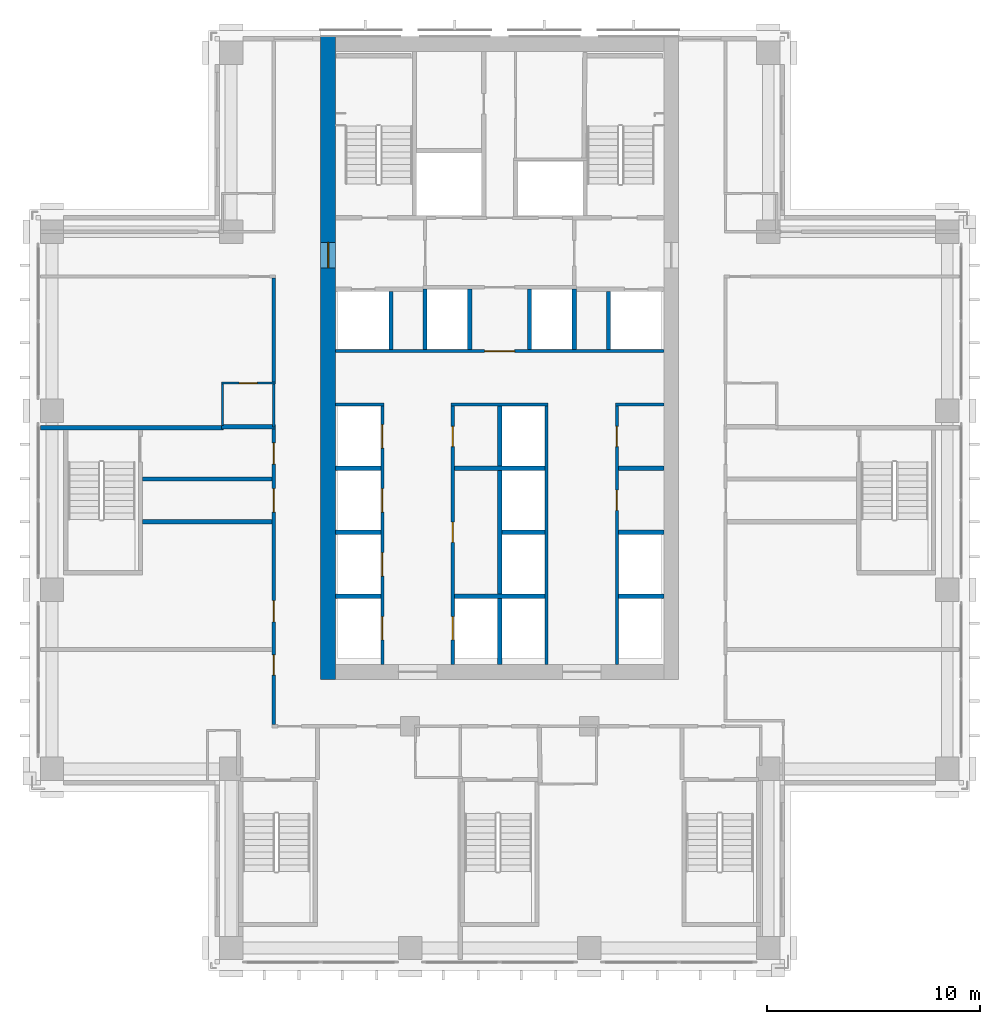
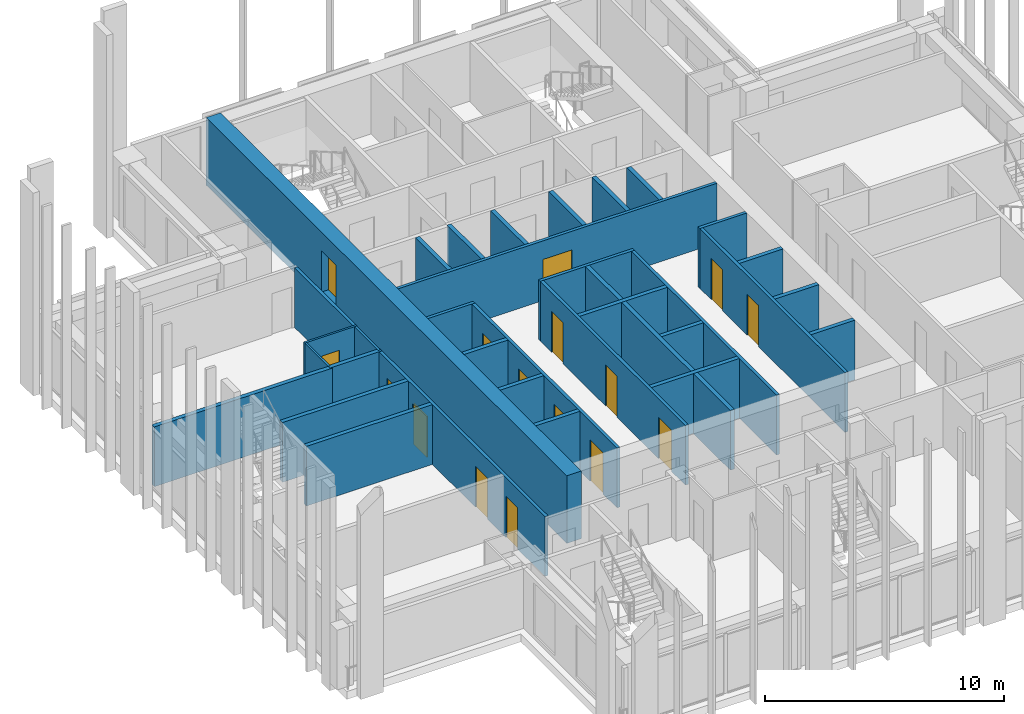
# One storey, part 10 of 16: 34 walls, 16 doors, 16 openings.
"""IFC4 building model written with IfcOpenShell, lengths in metres."""

from ifc_helpers import new_model, si_unit, direction, frame, frame_2d, origin, place, context, subcontext, project, spatial, rectangle, extrude, material, layer, layer_set, type_object, element, fill, save


model = new_model("IFC4")

# Units and contexts
model_context = context("Model", 3, precision=1e-05, world=origin(), true_north=direction((0.0, 1.0)))
body_context = subcontext(model_context, "Body", "Model", "MODEL_VIEW")
ifc_project = project(units=[si_unit("LENGTHUNIT", "METRE"), si_unit("AREAUNIT", "SQUARE_METRE"), si_unit("VOLUMEUNIT", "CUBIC_METRE"), si_unit("PLANEANGLEUNIT", "RADIAN"), si_unit("MASSUNIT", "GRAM", prefix="KILO")], contexts=[model_context])

# Site, building, storey
site_placement = place(None, origin())
site = spatial("IfcSite", under=ifc_project, at=site_placement, CompositionType="ELEMENT")
building_placement = place(site_placement, origin())
building = spatial("IfcBuilding", under=site, at=building_placement, Name="Vermilion Ogive Tower", CompositionType="ELEMENT")
storey_placement = place(building_placement, frame((0.0, 0.0, 133.10009765625)))
storey = spatial("IfcBuildingStorey", under=building, at=storey_placement, Name="L33", CompositionType="ELEMENT", Elevation=133.10009765625)

# Wall, opening, door
ifc_material_1 = material(Name="Gypsum board partition on steel studs", Category="steel")
ifc_layer_1 = layer(ifc_material_1, 0.10009765625)
ifc_layer_set_1 = layer_set([ifc_layer_1], Name="Partition 100 bath")
wall_type_1 = type_object("IfcWallType", Name="Partition 100 bath", PredefinedType="PARTITIONING", material=ifc_layer_set_1)
wall_1_placement = place(storey_placement, frame((-13.050048828125, 5.5, 0.0), z_axis=(0.0, 0.0, 1.0), x_axis=(1.0, 0.0, 0.0)))
wall_1 = element("IfcWall", 1, at=wall_1_placement, inside=storey, type_object=wall_type_1, Name="L33-W-W027", PredefinedType="PARTITIONING", context=body_context, shape_type="SweptSolid", body=[
    extrude(rectangle(XDim=2.525146484375, YDim=0.10009765625, at=frame_2d((1.2626953125, 0.0))), origin(), (0.0, 0.0, 1.0), 3.0498046875),
])
opening_1_placement = place(wall_1_placement, frame((0.824951171875, 0.0, 0.0)))
opening_1 = element("IfcOpeningElement", 2, at=opening_1_placement, cuts=wall_1, Name="Opening D3G1004", PredefinedType="OPENING", context=body_context, shape_type="SweptSolid", body=[
    extrude(rectangle(XDim=0.85009765625, YDim=2.10009765625, at=frame_2d((0.425048828125, 1.050048828125))), frame((0.0, 0.06005859375, 0.0), z_axis=(0.0, -1.0, 0.0), x_axis=(1.0, 0.0, 0.0)), (0.0, 0.0, 1.0), 0.1201171875),
])
ifc_material_2 = material(Name="Timber door leaf", Category="wood")
door_type_1 = type_object("IfcDoorType", Name="Bath door 850 x 2100 FD30", OperationType="SINGLE_SWING_LEFT", PredefinedType="DOOR", material=ifc_material_2)
door_1_placement = place(opening_1_placement, origin())
door_1 = element("IfcDoor", 3, at=door_1_placement, inside=storey, type_object=door_type_1, Name="L33-D-D004", OperationType="SINGLE_SWING_RIGHT", OverallHeight=2.10009765625, OverallWidth=0.85009765625, PredefinedType="DOOR", context=body_context, shape_type="SweptSolid", body=[
    extrude(rectangle(XDim=0.85009765625, YDim=2.10009765625, at=frame_2d((0.425048828125, 1.050048828125))), frame((0.0, 0.02490234375, 0.0), z_axis=(0.0, -1.0, 0.0), x_axis=(1.0, 0.0, 0.0)), (0.0, 0.0, 1.0), 0.050048828125),
])
fill(opening_1, door_1)

# Walls
wall_2_placement = place(storey_placement, frame((-13.0, 3.5, 0.0), z_axis=(0.0, 0.0, 1.0), x_axis=(0.0, 1.0, 0.0)))
element("IfcWall", 4, at=wall_2_placement, inside=storey, type_object=wall_type_1, Name="L33-W-W040", PredefinedType="PARTITIONING", context=body_context, shape_type="SweptSolid", body=[
    extrude(rectangle(XDim=1.949951171875, YDim=0.10009765625, at=frame_2d((0.97509765625, 0.0))), origin(), (0.0, 0.0, 1.0), 3.0498046875),
])
wall_3_placement = place(storey_placement, frame((-10.60009765625, 3.449951171875, 0.0), z_axis=(0.0, 0.0, 1.0), x_axis=(0.0, 1.0, 0.0)))
element("IfcWall", 5, at=wall_3_placement, inside=storey, type_object=wall_type_1, Name="L33-W-W045", PredefinedType="PARTITIONING", context=body_context, shape_type="SweptSolid", body=[
    extrude(rectangle(XDim=2.0, YDim=0.10009765625, at=frame_2d((1.0, 0.0))), origin(), (0.0, 0.0, 1.0), 3.0498046875),
])

# Wall, openings, doors
ifc_material_3 = material(Name="Gypsum board partition on steel studs", Category="steel")
ifc_layer_2 = layer(ifc_material_3, 0.14990234375)
ifc_layer_set_2 = layer_set([ifc_layer_2], Name="Partition 150 corridor")
wall_type_2 = type_object("IfcWallType", Name="Partition 150 corridor", PredefinedType="PARTITIONING", material=ifc_layer_set_2)
wall_4_placement = place(storey_placement, frame((-10.60009765625, -10.52490234375, 0.0), z_axis=(0.0, 0.0, 1.0), x_axis=(0.0, 1.0, 0.0)))
wall_4 = element("IfcWall", 6, at=wall_4_placement, inside=storey, type_object=wall_type_2, Name="L33-W-W044", PredefinedType="PARTITIONING", context=body_context, shape_type="SweptSolid", body=[
    extrude(rectangle(XDim=13.875, YDim=0.14990234375, at=frame_2d((6.9375, 0.0))), origin(), (0.0, 0.0, 1.0), 3.0498046875),
])
opening_2_placement = place(wall_4_placement, frame((2.324951171875, 0.0, 0.0)))
opening_2 = element("IfcOpeningElement", 7, at=opening_2_placement, cuts=wall_4, Name="Opening D3G1001", PredefinedType="OPENING", context=body_context, shape_type="SweptSolid", body=[
    extrude(rectangle(XDim=0.949951171875, YDim=2.10009765625, at=frame_2d((0.47509765625, 1.050048828125))), frame((0.0, 0.0849609375, 0.0), z_axis=(0.0, -1.0, 0.0), x_axis=(1.0, 0.0, 0.0)), (0.0, 0.0, 1.0), 0.169921875),
])
opening_3_placement = place(wall_4_placement, frame((9.974853515625, 0.0, 0.0)))
opening_3 = element("IfcOpeningElement", 8, at=opening_3_placement, cuts=wall_4, Name="Opening D3G1025", PredefinedType="OPENING", context=body_context, shape_type="SweptSolid", body=[
    extrude(rectangle(XDim=1.10009765625, YDim=2.10009765625, at=frame_2d((0.550048828125, 1.050048828125))), frame((0.0, 0.0849609375, 0.0), z_axis=(0.0, -1.0, 0.0), x_axis=(1.0, 0.0, 0.0)), (0.0, 0.0, 1.0), 0.169921875),
])
opening_4_placement = place(wall_4_placement, frame((4.824951171875, 0.0, 0.0)))
opening_4 = element("IfcOpeningElement", 9, at=opening_4_placement, cuts=wall_4, Name="Opening D3G1027", PredefinedType="OPENING", context=body_context, shape_type="SweptSolid", body=[
    extrude(rectangle(XDim=1.0, YDim=2.10009765625, at=frame_2d((0.5, 1.050048828125))), frame((0.0, 0.0849609375, 0.0), z_axis=(0.0, -1.0, 0.0), x_axis=(1.0, 0.0, 0.0)), (0.0, 0.0, 1.0), 0.169921875),
])
opening_5_placement = place(wall_4_placement, frame((12.224853515625, 0.0, 0.0)))
opening_5 = element("IfcOpeningElement", 10, at=opening_5_placement, cuts=wall_4, Name="Opening D3G1029", PredefinedType="OPENING", context=body_context, shape_type="SweptSolid", body=[
    extrude(rectangle(XDim=1.0, YDim=2.10009765625, at=frame_2d((0.5, 1.050048828125))), frame((0.0, 0.0849609375, 0.0), z_axis=(0.0, -1.0, 0.0), x_axis=(1.0, 0.0, 0.0)), (0.0, 0.0, 1.0), 0.169921875),
])
ifc_material_4 = material(Name="Timber door leaf", Category="wood")
door_type_2 = type_object("IfcDoorType", Name="Stair door 1100 x 2100 FD60S", OperationType="SINGLE_SWING_LEFT", PredefinedType="DOOR", material=ifc_material_4)
door_2_placement = place(opening_3_placement, origin())
door_2 = element("IfcDoor", 11, at=door_2_placement, inside=storey, type_object=door_type_2, Name="L33-D-D025", OperationType="SINGLE_SWING_RIGHT", OverallHeight=2.10009765625, OverallWidth=1.10009765625, PredefinedType="DOOR", context=body_context, shape_type="SweptSolid", body=[
    extrude(rectangle(XDim=1.10009765625, YDim=2.10009765625, at=frame_2d((0.550048828125, 1.050048828125))), frame((0.0, 0.02490234375, 0.0), z_axis=(0.0, -1.0, 0.0), x_axis=(1.0, 0.0, 0.0)), (0.0, 0.0, 1.0), 0.050048828125),
])
fill(opening_3, door_2)
ifc_material_5 = material(Name="Timber door leaf", Category="wood")
door_type_3 = type_object("IfcDoorType", Name="Unit door 1000 x 2100 FD30S", OperationType="SINGLE_SWING_LEFT", PredefinedType="DOOR", material=ifc_material_5)
door_3_placement = place(opening_4_placement, origin())
door_3 = element("IfcDoor", 12, at=door_3_placement, inside=storey, type_object=door_type_3, Name="L33-D-D027", OperationType="SINGLE_SWING_RIGHT", OverallHeight=2.10009765625, OverallWidth=1.0, PredefinedType="DOOR", context=body_context, shape_type="SweptSolid", body=[
    extrude(rectangle(XDim=1.0, YDim=2.10009765625, at=frame_2d((0.5, 1.050048828125))), frame((0.0, 0.02490234375, 0.0), z_axis=(0.0, -1.0, 0.0), x_axis=(1.0, 0.0, 0.0)), (0.0, 0.0, 1.0), 0.050048828125),
])
fill(opening_4, door_3)
door_4_placement = place(opening_5_placement, origin())
door_4 = element("IfcDoor", 13, at=door_4_placement, inside=storey, type_object=door_type_3, Name="L33-D-D029", OperationType="SINGLE_SWING_RIGHT", OverallHeight=2.10009765625, OverallWidth=1.0, PredefinedType="DOOR", context=body_context, shape_type="SweptSolid", body=[
    extrude(rectangle(XDim=1.0, YDim=2.10009765625, at=frame_2d((0.5, 1.050048828125))), frame((0.0, 0.02490234375, 0.0), z_axis=(0.0, -1.0, 0.0), x_axis=(1.0, 0.0, 0.0)), (0.0, 0.0, 1.0), 0.050048828125),
])
fill(opening_5, door_4)
ifc_material_6 = material(Name="Timber door leaf", Category="wood")
door_type_4 = type_object("IfcDoorType", Name="Unit door 950 x 2100 FD30S", OperationType="SINGLE_SWING_LEFT", PredefinedType="DOOR", material=ifc_material_6)
door_5_placement = place(opening_2_placement, origin())
door_5 = element("IfcDoor", 14, at=door_5_placement, inside=storey, type_object=door_type_4, Name="L33-D-D001", OperationType="SINGLE_SWING_RIGHT", OverallHeight=2.10009765625, OverallWidth=0.949951171875, PredefinedType="DOOR", context=body_context, shape_type="SweptSolid", body=[
    extrude(rectangle(XDim=0.949951171875, YDim=2.10009765625, at=frame_2d((0.47509765625, 1.050048828125))), frame((0.0, 0.02490234375, 0.0), z_axis=(0.0, -1.0, 0.0), x_axis=(1.0, 0.0, 0.0)), (0.0, 0.0, 1.0), 0.050048828125),
])
fill(opening_2, door_5)

# Walls
wall_5_placement = place(storey_placement, frame((-10.60009765625, 5.550048828125, 0.0), z_axis=(0.0, 0.0, 1.0), x_axis=(0.0, 1.0, 0.0)))
element("IfcWall", 15, at=wall_5_placement, inside=storey, type_object=wall_type_2, Name="L33-W-W046", PredefinedType="PARTITIONING", context=body_context, shape_type="SweptSolid", body=[
    extrude(rectangle(XDim=4.875, YDim=0.14990234375, at=frame_2d((2.4375, 0.0))), origin(), (0.0, 0.0, 1.0), 3.0498046875),
])
wall_6_placement = place(storey_placement, frame((-7.698974609375, 4.5, 0.0), z_axis=(0.0, 0.0, 1.0), x_axis=(1.0, 0.0, 0.0)))
element("IfcWall", 16, at=wall_6_placement, inside=storey, type_object=wall_type_2, Name="L33-CK-W-W010", PredefinedType="PARTITIONING", context=body_context, shape_type="SweptSolid", body=[
    extrude(rectangle(XDim=2.27392578125, YDim=0.14990234375, at=frame_2d((1.136962890625, 0.0))), origin(), (0.0, 0.0, 1.0), 3.0498046875),
])
wall_7_placement = place(storey_placement, frame((-2.27490234375, 4.5, 0.0), z_axis=(0.0, 0.0, 1.0), x_axis=(1.0, 0.0, 0.0)))
element("IfcWall", 17, at=wall_7_placement, inside=storey, type_object=wall_type_2, Name="L33-CK-W-W011", PredefinedType="PARTITIONING", context=body_context, shape_type="SweptSolid", body=[
    extrude(rectangle(XDim=4.5498046875, YDim=0.14990234375, at=frame_2d((2.27490234375, 0.0))), origin(), (0.0, 0.0, 1.0), 3.0498046875),
])
wall_8_placement = place(storey_placement, frame((5.425048828125, 4.5, 0.0), z_axis=(0.0, 0.0, 1.0), x_axis=(1.0, 0.0, 0.0)))
element("IfcWall", 18, at=wall_8_placement, inside=storey, type_object=wall_type_2, Name="L33-CK-W-W012", PredefinedType="PARTITIONING", context=body_context, shape_type="SweptSolid", body=[
    extrude(rectangle(XDim=2.27392578125, YDim=0.14990234375, at=frame_2d((1.136962890625, 0.0))), origin(), (0.0, 0.0, 1.0), 3.0498046875),
])

# Wall, opening, door
wall_9_placement = place(storey_placement, frame((-7.698974609375, 7.0, 0.0), z_axis=(0.0, 0.0, 1.0), x_axis=(1.0, 0.0, 0.0)))
wall_9 = element("IfcWall", 19, at=wall_9_placement, inside=storey, type_object=wall_type_2, Name="L33-CK-W-W013", PredefinedType="PARTITIONING", context=body_context, shape_type="SweptSolid", body=[
    extrude(rectangle(XDim=15.39794921875, YDim=0.14990234375, at=frame_2d((7.698974609375, 0.0))), origin(), (0.0, 0.0, 1.0), 3.0498046875),
])
opening_6_placement = place(wall_9_placement, frame((6.9990234375, 0.0, 0.0)))
opening_6 = element("IfcOpeningElement", 20, at=opening_6_placement, cuts=wall_9, Name="Opening DAA278", PredefinedType="OPENING", context=body_context, shape_type="SweptSolid", body=[
    extrude(rectangle(XDim=1.39990234375, YDim=2.10009765625, at=frame_2d((0.699951171875, 1.050048828125))), frame((0.0, 0.0849609375, 0.0), z_axis=(0.0, -1.0, 0.0), x_axis=(1.0, 0.0, 0.0)), (0.0, 0.0, 1.0), 0.169921875),
])
ifc_material_7 = material(Name="Timber door leaf", Category="wood")
door_type_5 = type_object("IfcDoorType", Name="Lobby door 1400 x 2100 FD60S", OperationType="SINGLE_SWING_LEFT", PredefinedType="DOOR", material=ifc_material_7)
door_6_placement = place(opening_6_placement, origin())
door_6 = element("IfcDoor", 21, at=door_6_placement, inside=storey, type_object=door_type_5, Name="L33-CK-D-D014", OperationType="SINGLE_SWING_RIGHT", OverallHeight=2.10009765625, OverallWidth=1.39990234375, PredefinedType="DOOR", context=body_context, shape_type="SweptSolid", body=[
    extrude(rectangle(XDim=1.39990234375, YDim=2.10009765625, at=frame_2d((0.699951171875, 1.050048828125))), frame((0.0, 0.02490234375, 0.0), z_axis=(0.0, -1.0, 0.0), x_axis=(1.0, 0.0, 0.0)), (0.0, 0.0, 1.0), 0.050048828125),
])
fill(opening_6, door_6)

# Wall, openings, doors
wall_10_placement = place(storey_placement, frame((-5.5, -7.698974609375, 0.0), z_axis=(0.0, 0.0, 1.0), x_axis=(0.0, 1.0, 0.0)))
wall_10 = element("IfcWall", 22, at=wall_10_placement, inside=storey, type_object=wall_type_2, Name="L33-CK-W-W022", PredefinedType="PARTITIONING", context=body_context, shape_type="SweptSolid", body=[
    extrude(rectangle(XDim=12.1240234375, YDim=0.14990234375, at=frame_2d((6.06201171875, 0.0))), origin(), (0.0, 0.0, 1.0), 3.0498046875),
])
opening_7_placement = place(wall_10_placement, frame((1.14892578125, 0.0, 0.0)))
opening_7 = element("IfcOpeningElement", 23, at=opening_7_placement, cuts=wall_10, Name="Opening DAA291", PredefinedType="OPENING", context=body_context, shape_type="SweptSolid", body=[
    extrude(rectangle(XDim=1.10009765625, YDim=2.10009765625, at=frame_2d((0.550048828125, 1.050048828125))), frame((0.0, 0.0849609375, 0.0), z_axis=(0.0, -1.0, 0.0), x_axis=(1.0, 0.0, 0.0)), (0.0, 0.0, 1.0), 0.169921875),
])
opening_8_placement = place(wall_10_placement, frame((4.14892578125, 0.0, 0.0)))
opening_8 = element("IfcOpeningElement", 24, at=opening_8_placement, cuts=wall_10, Name="Opening DAA292", PredefinedType="OPENING", context=body_context, shape_type="SweptSolid", body=[
    extrude(rectangle(XDim=1.10009765625, YDim=2.10009765625, at=frame_2d((0.550048828125, 1.050048828125))), frame((0.0, 0.0849609375, 0.0), z_axis=(0.0, -1.0, 0.0), x_axis=(1.0, 0.0, 0.0)), (0.0, 0.0, 1.0), 0.169921875),
])
opening_9_placement = place(wall_10_placement, frame((7.14892578125, 0.0, 0.0)))
opening_9 = element("IfcOpeningElement", 25, at=opening_9_placement, cuts=wall_10, Name="Opening DAA293", PredefinedType="OPENING", context=body_context, shape_type="SweptSolid", body=[
    extrude(rectangle(XDim=1.10009765625, YDim=2.10009765625, at=frame_2d((0.550048828125, 1.050048828125))), frame((0.0, 0.0849609375, 0.0), z_axis=(0.0, -1.0, 0.0), x_axis=(1.0, 0.0, 0.0)), (0.0, 0.0, 1.0), 0.169921875),
])
opening_10_placement = place(wall_10_placement, frame((10.14892578125, 0.0, 0.0)))
opening_10 = element("IfcOpeningElement", 26, at=opening_10_placement, cuts=wall_10, Name="Opening DAA294", PredefinedType="OPENING", context=body_context, shape_type="SweptSolid", body=[
    extrude(rectangle(XDim=1.10009765625, YDim=2.10009765625, at=frame_2d((0.550048828125, 1.050048828125))), frame((0.0, 0.0849609375, 0.0), z_axis=(0.0, -1.0, 0.0), x_axis=(1.0, 0.0, 0.0)), (0.0, 0.0, 1.0), 0.169921875),
])
ifc_material_8 = material(Name="Stainless steel", Category="steel")
door_type_6 = type_object("IfcDoorType", Name="Lift landing door 1100 x 2100", OperationType="SLIDING_TO_LEFT", PredefinedType="DOOR", material=ifc_material_8)
door_7_placement = place(opening_7_placement, origin())
door_7 = element("IfcDoor", 27, at=door_7_placement, inside=storey, type_object=door_type_6, Name="L33-CK-D-D001", OperationType="SLIDING_TO_LEFT", OverallHeight=2.10009765625, OverallWidth=1.10009765625, PredefinedType="DOOR", context=body_context, shape_type="SweptSolid", body=[
    extrude(rectangle(XDim=1.10009765625, YDim=2.10009765625, at=frame_2d((0.550048828125, 1.050048828125))), frame((0.0, 0.02490234375, 0.0), z_axis=(0.0, -1.0, 0.0), x_axis=(1.0, 0.0, 0.0)), (0.0, 0.0, 1.0), 0.050048828125),
])
fill(opening_7, door_7)
door_8_placement = place(opening_8_placement, origin())
door_8 = element("IfcDoor", 28, at=door_8_placement, inside=storey, type_object=door_type_6, Name="L33-CK-D-D002", OperationType="SLIDING_TO_LEFT", OverallHeight=2.10009765625, OverallWidth=1.10009765625, PredefinedType="DOOR", context=body_context, shape_type="SweptSolid", body=[
    extrude(rectangle(XDim=1.10009765625, YDim=2.10009765625, at=frame_2d((0.550048828125, 1.050048828125))), frame((0.0, 0.02490234375, 0.0), z_axis=(0.0, -1.0, 0.0), x_axis=(1.0, 0.0, 0.0)), (0.0, 0.0, 1.0), 0.050048828125),
])
fill(opening_8, door_8)
door_9_placement = place(opening_9_placement, origin())
door_9 = element("IfcDoor", 29, at=door_9_placement, inside=storey, type_object=door_type_6, Name="L33-CK-D-D003", OperationType="SLIDING_TO_LEFT", OverallHeight=2.10009765625, OverallWidth=1.10009765625, PredefinedType="DOOR", context=body_context, shape_type="SweptSolid", body=[
    extrude(rectangle(XDim=1.10009765625, YDim=2.10009765625, at=frame_2d((0.550048828125, 1.050048828125))), frame((0.0, 0.02490234375, 0.0), z_axis=(0.0, -1.0, 0.0), x_axis=(1.0, 0.0, 0.0)), (0.0, 0.0, 1.0), 0.050048828125),
])
fill(opening_9, door_9)
door_10_placement = place(opening_10_placement, origin())
door_10 = element("IfcDoor", 30, at=door_10_placement, inside=storey, type_object=door_type_6, Name="L33-CK-D-D004", OperationType="SLIDING_TO_LEFT", OverallHeight=2.10009765625, OverallWidth=1.10009765625, PredefinedType="DOOR", context=body_context, shape_type="SweptSolid", body=[
    extrude(rectangle(XDim=1.10009765625, YDim=2.10009765625, at=frame_2d((0.550048828125, 1.050048828125))), frame((0.0, 0.02490234375, 0.0), z_axis=(0.0, -1.0, 0.0), x_axis=(1.0, 0.0, 0.0)), (0.0, 0.0, 1.0), 0.050048828125),
])
fill(opening_10, door_10)

wall_11_placement = place(storey_placement, frame((-2.199951171875, -7.698974609375, 0.0), z_axis=(0.0, 0.0, 1.0), x_axis=(0.0, 1.0, 0.0)))
wall_11 = element("IfcWall", 31, at=wall_11_placement, inside=storey, type_object=wall_type_2, Name="L33-CK-W-W027", PredefinedType="PARTITIONING", context=body_context, shape_type="SweptSolid", body=[
    extrude(rectangle(XDim=12.1240234375, YDim=0.14990234375, at=frame_2d((6.06201171875, 0.0))), origin(), (0.0, 0.0, 1.0), 3.0498046875),
])
opening_11_placement = place(wall_11_placement, frame((1.14892578125, 0.0, 0.0)))
opening_11 = element("IfcOpeningElement", 32, at=opening_11_placement, cuts=wall_11, Name="Opening DAA295", PredefinedType="OPENING", context=body_context, shape_type="SweptSolid", body=[
    extrude(rectangle(XDim=1.10009765625, YDim=2.10009765625, at=frame_2d((0.550048828125, 1.050048828125))), frame((0.0, 0.0849609375, 0.0), z_axis=(0.0, -1.0, 0.0), x_axis=(1.0, 0.0, 0.0)), (0.0, 0.0, 1.0), 0.169921875),
])
opening_12_placement = place(wall_11_placement, frame((5.723876953125, 0.0, 0.0)))
opening_12 = element("IfcOpeningElement", 33, at=opening_12_placement, cuts=wall_11, Name="Opening DAA281", PredefinedType="OPENING", context=body_context, shape_type="SweptSolid", body=[
    extrude(rectangle(XDim=0.949951171875, YDim=2.10009765625, at=frame_2d((0.47509765625, 1.050048828125))), frame((0.0, 0.0849609375, 0.0), z_axis=(0.0, -1.0, 0.0), x_axis=(1.0, 0.0, 0.0)), (0.0, 0.0, 1.0), 0.169921875),
])
opening_13_placement = place(wall_11_placement, frame((10.223876953125, 0.0, 0.0)))
opening_13 = element("IfcOpeningElement", 34, at=opening_13_placement, cuts=wall_11, Name="Opening DAA282", PredefinedType="OPENING", context=body_context, shape_type="SweptSolid", body=[
    extrude(rectangle(XDim=0.949951171875, YDim=2.10009765625, at=frame_2d((0.47509765625, 1.050048828125))), frame((0.0, 0.0849609375, 0.0), z_axis=(0.0, -1.0, 0.0), x_axis=(1.0, 0.0, 0.0)), (0.0, 0.0, 1.0), 0.169921875),
])
door_11_placement = place(opening_11_placement, origin())
door_11 = element("IfcDoor", 35, at=door_11_placement, inside=storey, type_object=door_type_6, Name="L33-CK-D-D005", OperationType="SLIDING_TO_LEFT", OverallHeight=2.10009765625, OverallWidth=1.10009765625, PredefinedType="DOOR", context=body_context, shape_type="SweptSolid", body=[
    extrude(rectangle(XDim=1.10009765625, YDim=2.10009765625, at=frame_2d((0.550048828125, 1.050048828125))), frame((0.0, 0.02490234375, 0.0), z_axis=(0.0, -1.0, 0.0), x_axis=(1.0, 0.0, 0.0)), (0.0, 0.0, 1.0), 0.050048828125),
])
fill(opening_11, door_11)
ifc_material_9 = material(Name="Timber door leaf", Category="wood")
door_type_7 = type_object("IfcDoorType", Name="Service door 950 x 2100 FD60", OperationType="SINGLE_SWING_LEFT", PredefinedType="DOOR", material=ifc_material_9)
door_12_placement = place(opening_12_placement, origin())
door_12 = element("IfcDoor", 36, at=door_12_placement, inside=storey, type_object=door_type_7, Name="L33-CK-D-D006", OperationType="SINGLE_SWING_LEFT", OverallHeight=2.10009765625, OverallWidth=0.949951171875, PredefinedType="DOOR", context=body_context, shape_type="SweptSolid", body=[
    extrude(rectangle(XDim=0.949951171875, YDim=2.10009765625, at=frame_2d((0.47509765625, 1.050048828125))), frame((0.0, 0.02490234375, 0.0), z_axis=(0.0, -1.0, 0.0), x_axis=(1.0, 0.0, 0.0)), (0.0, 0.0, 1.0), 0.050048828125),
])
fill(opening_12, door_12)
door_13_placement = place(opening_13_placement, origin())
door_13 = element("IfcDoor", 37, at=door_13_placement, inside=storey, type_object=door_type_7, Name="L33-CK-D-D007", OperationType="SINGLE_SWING_RIGHT", OverallHeight=2.10009765625, OverallWidth=0.949951171875, PredefinedType="DOOR", context=body_context, shape_type="SweptSolid", body=[
    extrude(rectangle(XDim=0.949951171875, YDim=2.10009765625, at=frame_2d((0.47509765625, 1.050048828125))), frame((0.0, 0.02490234375, 0.0), z_axis=(0.0, -1.0, 0.0), x_axis=(1.0, 0.0, 0.0)), (0.0, 0.0, 1.0), 0.050048828125),
])
fill(opening_13, door_13)

# Wall
wall_12_placement = place(storey_placement, frame((2.199951171875, -7.698974609375, 0.0), z_axis=(0.0, 0.0, 1.0), x_axis=(0.0, 1.0, 0.0)))
element("IfcWall", 38, at=wall_12_placement, inside=storey, type_object=wall_type_2, Name="L33-CK-W-W034", PredefinedType="PARTITIONING", context=body_context, shape_type="SweptSolid", body=[
    extrude(rectangle(XDim=12.1240234375, YDim=0.14990234375, at=frame_2d((6.06201171875, 0.0))), origin(), (0.0, 0.0, 1.0), 3.0498046875),
])

# Wall, openings, doors
wall_13_placement = place(storey_placement, frame((5.5, -7.698974609375, 0.0), z_axis=(0.0, 0.0, 1.0), x_axis=(0.0, 1.0, 0.0)))
wall_13 = element("IfcWall", 39, at=wall_13_placement, inside=storey, type_object=wall_type_2, Name="L33-CK-W-W040", PredefinedType="PARTITIONING", context=body_context, shape_type="SweptSolid", body=[
    extrude(rectangle(XDim=12.1240234375, YDim=0.14990234375, at=frame_2d((6.06201171875, 0.0))), origin(), (0.0, 0.0, 1.0), 3.0498046875),
])
opening_14_placement = place(wall_13_placement, frame((7.223876953125, 0.0, 0.0)))
opening_14 = element("IfcOpeningElement", 40, at=opening_14_placement, cuts=wall_13, Name="Opening DAA283", PredefinedType="OPENING", context=body_context, shape_type="SweptSolid", body=[
    extrude(rectangle(XDim=0.949951171875, YDim=2.10009765625, at=frame_2d((0.47509765625, 1.050048828125))), frame((0.0, 0.0849609375, 0.0), z_axis=(0.0, -1.0, 0.0), x_axis=(1.0, 0.0, 0.0)), (0.0, 0.0, 1.0), 0.169921875),
])
opening_15_placement = place(wall_13_placement, frame((10.223876953125, 0.0, 0.0)))
opening_15 = element("IfcOpeningElement", 41, at=opening_15_placement, cuts=wall_13, Name="Opening DAA284", PredefinedType="OPENING", context=body_context, shape_type="SweptSolid", body=[
    extrude(rectangle(XDim=0.949951171875, YDim=2.10009765625, at=frame_2d((0.47509765625, 1.050048828125))), frame((0.0, 0.0849609375, 0.0), z_axis=(0.0, -1.0, 0.0), x_axis=(1.0, 0.0, 0.0)), (0.0, 0.0, 1.0), 0.169921875),
])
door_14_placement = place(opening_14_placement, origin())
door_14 = element("IfcDoor", 42, at=door_14_placement, inside=storey, type_object=door_type_7, Name="L33-CK-D-D008", OperationType="SINGLE_SWING_RIGHT", OverallHeight=2.10009765625, OverallWidth=0.949951171875, PredefinedType="DOOR", context=body_context, shape_type="SweptSolid", body=[
    extrude(rectangle(XDim=0.949951171875, YDim=2.10009765625, at=frame_2d((0.47509765625, 1.050048828125))), frame((0.0, 0.02490234375, 0.0), z_axis=(0.0, -1.0, 0.0), x_axis=(1.0, 0.0, 0.0)), (0.0, 0.0, 1.0), 0.050048828125),
])
fill(opening_14, door_14)
door_15_placement = place(opening_15_placement, origin())
door_15 = element("IfcDoor", 43, at=door_15_placement, inside=storey, type_object=door_type_7, Name="L33-CK-D-D009", OperationType="SINGLE_SWING_RIGHT", OverallHeight=2.10009765625, OverallWidth=0.949951171875, PredefinedType="DOOR", context=body_context, shape_type="SweptSolid", body=[
    extrude(rectangle(XDim=0.949951171875, YDim=2.10009765625, at=frame_2d((0.47509765625, 1.050048828125))), frame((0.0, 0.02490234375, 0.0), z_axis=(0.0, -1.0, 0.0), x_axis=(1.0, 0.0, 0.0)), (0.0, 0.0, 1.0), 0.050048828125),
])
fill(opening_15, door_15)

# Walls
ifc_material_10 = material(Name="Gypsum board partition on steel studs", Category="steel")
ifc_layer_3 = layer(ifc_material_10, 0.199951171875)
ifc_layer_set_3 = layer_set([ifc_layer_3], Name="Partition 200 party")
wall_type_3 = type_object("IfcWallType", Name="Partition 200 party", PredefinedType="PARTITIONING", material=ifc_layer_set_3)
wall_14_placement = place(storey_placement, frame((-16.748046875, -1.0, 0.0), z_axis=(0.0, 0.0, 1.0), x_axis=(1.0, 0.0, 0.0)))
element("IfcWall", 44, at=wall_14_placement, inside=storey, type_object=wall_type_3, Name="L33-W-W019", PredefinedType="PARTITIONING", context=body_context, shape_type="SweptSolid", body=[
    extrude(rectangle(XDim=6.071044921875, YDim=0.199951171875, at=frame_2d((3.03564453125, 0.0))), origin(), (0.0, 0.0, 1.0), 3.0498046875),
])
wall_15_placement = place(storey_placement, frame((-16.75, 1.0, 0.0), z_axis=(0.0, 0.0, 1.0), x_axis=(1.0, 0.0, 0.0)))
element("IfcWall", 45, at=wall_15_placement, inside=storey, type_object=wall_type_3, Name="L33-W-W021", PredefinedType="PARTITIONING", context=body_context, shape_type="SweptSolid", body=[
    extrude(rectangle(XDim=6.074951171875, YDim=0.199951171875, at=frame_2d((3.03759765625, 0.0))), origin(), (0.0, 0.0, 1.0), 3.0498046875),
])
wall_16_placement = place(storey_placement, frame((-7.698974609375, -4.5, 0.0), z_axis=(0.0, 0.0, 1.0), x_axis=(1.0, 0.0, 0.0)))
element("IfcWall", 46, at=wall_16_placement, inside=storey, type_object=wall_type_3, Name="L33-CK-W-W001", PredefinedType="PARTITIONING", context=body_context, shape_type="SweptSolid", body=[
    extrude(rectangle(XDim=2.1240234375, YDim=0.199951171875, at=frame_2d((1.06201171875, 0.0))), origin(), (0.0, 0.0, 1.0), 3.0498046875),
])
wall_17_placement = place(storey_placement, frame((-2.125, -4.5, 0.0), z_axis=(0.0, 0.0, 1.0), x_axis=(1.0, 0.0, 0.0)))
element("IfcWall", 47, at=wall_17_placement, inside=storey, type_object=wall_type_3, Name="L33-CK-W-W002", PredefinedType="PARTITIONING", context=body_context, shape_type="SweptSolid", body=[
    extrude(rectangle(XDim=4.25, YDim=0.199951171875, at=frame_2d((2.125, 0.0))), origin(), (0.0, 0.0, 1.0), 3.0498046875),
])
for number, where, z_axis, x_axis, name in (
    (48, (5.574951171875, -4.5, 0.0), (0.0, 0.0, 1.0), (1.0, 0.0, 0.0), "L33-CK-W-W003"),
    (49, (-7.698974609375, -1.5, 0.0), (0.0, 0.0, 1.0), (1.0, 0.0, 0.0), "L33-CK-W-W004"),
):
    element("IfcWall", number, at=place(storey_placement, frame(where, z_axis=z_axis, x_axis=x_axis)), inside=storey, type_object=wall_type_3, Name=name, PredefinedType="PARTITIONING", context=body_context, shape_type="SweptSolid", body=[
        extrude(rectangle(XDim=2.1240234375, YDim=0.199951171875, at=frame_2d((1.06201171875, 0.0))), origin(), (0.0, 0.0, 1.0), 3.0498046875),
    ])
wall_18_placement = place(storey_placement, frame((0.10009765625, -1.5, 0.0), z_axis=(0.0, 0.0, 1.0), x_axis=(1.0, 0.0, 0.0)))
element("IfcWall", 50, at=wall_18_placement, inside=storey, type_object=wall_type_3, Name="L33-CK-W-W005", PredefinedType="PARTITIONING", context=body_context, shape_type="SweptSolid", body=[
    extrude(rectangle(XDim=2.02490234375, YDim=0.199951171875, at=frame_2d((1.012451171875, 0.0))), origin(), (0.0, 0.0, 1.0), 3.0498046875),
])
for number, where, z_axis, x_axis, name in (
    (51, (5.574951171875, -1.5, 0.0), (0.0, 0.0, 1.0), (1.0, 0.0, 0.0), "L33-CK-W-W006"),
    (52, (-7.698974609375, 1.5, 0.0), (0.0, 0.0, 1.0), (1.0, 0.0, 0.0), "L33-CK-W-W007"),
):
    element("IfcWall", number, at=place(storey_placement, frame(where, z_axis=z_axis, x_axis=x_axis)), inside=storey, type_object=wall_type_3, Name=name, PredefinedType="PARTITIONING", context=body_context, shape_type="SweptSolid", body=[
        extrude(rectangle(XDim=2.1240234375, YDim=0.199951171875, at=frame_2d((1.06201171875, 0.0))), origin(), (0.0, 0.0, 1.0), 3.0498046875),
    ])
wall_19_placement = place(storey_placement, frame((-2.125, 1.5, 0.0), z_axis=(0.0, 0.0, 1.0), x_axis=(1.0, 0.0, 0.0)))
element("IfcWall", 53, at=wall_19_placement, inside=storey, type_object=wall_type_3, Name="L33-CK-W-W008", PredefinedType="PARTITIONING", context=body_context, shape_type="SweptSolid", body=[
    extrude(rectangle(XDim=4.25, YDim=0.199951171875, at=frame_2d((2.125, 0.0))), origin(), (0.0, 0.0, 1.0), 3.0498046875),
])
wall_20_placement = place(storey_placement, frame((5.574951171875, 1.5, 0.0), z_axis=(0.0, 0.0, 1.0), x_axis=(1.0, 0.0, 0.0)))
element("IfcWall", 54, at=wall_20_placement, inside=storey, type_object=wall_type_3, Name="L33-CK-W-W009", PredefinedType="PARTITIONING", context=body_context, shape_type="SweptSolid", body=[
    extrude(rectangle(XDim=2.1240234375, YDim=0.199951171875, at=frame_2d((1.06201171875, 0.0))), origin(), (0.0, 0.0, 1.0), 3.0498046875),
])
wall_21_placement = place(storey_placement, frame((-5.10009765625, 7.074951171875, 0.0), z_axis=(0.0, 0.0, 1.0), x_axis=(0.0, 1.0, 0.0)))
element("IfcWall", 55, at=wall_21_placement, inside=storey, type_object=wall_type_3, Name="L33-CK-W-W023", PredefinedType="PARTITIONING", context=body_context, shape_type="SweptSolid", body=[
    extrude(rectangle(XDim=2.72509765625, YDim=0.199951171875, at=frame_2d((1.362548828125, 0.0))), origin(), (0.0, 0.0, 1.0), 3.0498046875),
])
for number, where, z_axis, x_axis, name in (
    (56, (-3.5, 7.074951171875, 0.0), (0.0, 0.0, 1.0), (0.0, 1.0, 0.0), "L33-CK-W-W025"),
    (57, (-1.39990234375, 7.074951171875, 0.0), (0.0, 0.0, 1.0), (0.0, 1.0, 0.0), "L33-CK-W-W028"),
):
    element("IfcWall", number, at=place(storey_placement, frame(where, z_axis=z_axis, x_axis=x_axis)), inside=storey, type_object=wall_type_3, Name=name, PredefinedType="PARTITIONING", context=body_context, shape_type="SweptSolid", body=[
        extrude(rectangle(XDim=2.85009765625, YDim=0.199951171875, at=frame_2d((1.425048828125, 0.0))), origin(), (0.0, 0.0, 1.0), 3.0498046875),
    ])
wall_22_placement = place(storey_placement, frame((0.0, -7.698974609375, 0.0), z_axis=(0.0, 0.0, 1.0), x_axis=(0.0, 1.0, 0.0)))
element("IfcWall", 58, at=wall_22_placement, inside=storey, type_object=wall_type_3, Name="L33-CK-W-W030", PredefinedType="PARTITIONING", context=body_context, shape_type="SweptSolid", body=[
    extrude(rectangle(XDim=12.1240234375, YDim=0.199951171875, at=frame_2d((6.06201171875, 0.0))), origin(), (0.0, 0.0, 1.0), 3.0498046875),
])
for number, where, z_axis, x_axis, name in (
    (59, (1.39990234375, 7.074951171875, 0.0), (0.0, 0.0, 1.0), (0.0, 1.0, 0.0), "L33-CK-W-W033"),
    (60, (3.5, 7.074951171875, 0.0), (0.0, 0.0, 1.0), (0.0, 1.0, 0.0), "L33-CK-W-W035"),
):
    element("IfcWall", number, at=place(storey_placement, frame(where, z_axis=z_axis, x_axis=x_axis)), inside=storey, type_object=wall_type_3, Name=name, PredefinedType="PARTITIONING", context=body_context, shape_type="SweptSolid", body=[
        extrude(rectangle(XDim=2.85009765625, YDim=0.199951171875, at=frame_2d((1.425048828125, 0.0))), origin(), (0.0, 0.0, 1.0), 3.0498046875),
    ])
wall_23_placement = place(storey_placement, frame((5.10009765625, 7.074951171875, 0.0), z_axis=(0.0, 0.0, 1.0), x_axis=(0.0, 1.0, 0.0)))
element("IfcWall", 61, at=wall_23_placement, inside=storey, type_object=wall_type_3, Name="L33-CK-W-W039", PredefinedType="PARTITIONING", context=body_context, shape_type="SweptSolid", body=[
    extrude(rectangle(XDim=2.72509765625, YDim=0.199951171875, at=frame_2d((1.362548828125, 0.0))), origin(), (0.0, 0.0, 1.0), 3.0498046875),
])

# Wall, opening, door
ifc_material_11 = material(Name="Concrete B60", Category="concrete")
ifc_layer_4 = layer(ifc_material_11, 0.199951171875)
ifc_layer_set_4 = layer_set([ifc_layer_4], Name="Stair shaft wall 200 Concrete B60")
wall_type_4 = type_object("IfcWallType", Name="Stair shaft wall 200 Concrete B60", PredefinedType="SOLIDWALL", material=ifc_layer_set_4)
wall_24_placement = place(storey_placement, frame((-8.050048828125, -8.39990234375, -0.400146484375), z_axis=(0.0, 0.0, 1.0), x_axis=(0.0, 1.0, 0.0)))
wall_24 = element("IfcWall", 62, at=wall_24_placement, inside=storey, type_object=wall_type_4, Name="L33-CORE-W", PredefinedType="SOLIDWALL", context=body_context, shape_type="SweptSolid", body=[
    extrude(rectangle(XDim=30.14990234375, YDim=0.699951171875, at=frame_2d((15.074951171875, 0.0))), origin(), (0.0, 0.0, 1.0), 3.449951171875),
])
opening_16_placement = place(wall_24_placement, frame((19.300048828125, 0.0, 0.39990234375)))
opening_16 = element("IfcOpeningElement", 63, at=opening_16_placement, cuts=wall_24, Name="Opening DAM013", PredefinedType="OPENING", context=body_context, shape_type="SweptSolid", body=[
    extrude(rectangle(XDim=1.199951171875, YDim=2.10009765625, at=frame_2d((0.60009765625, 1.050048828125))), frame((0.0, 0.35986328125, 0.0), z_axis=(0.0, -1.0, 0.0), x_axis=(1.0, 0.0, 0.0)), (0.0, 0.0, 1.0), 0.719970703125),
])
ifc_material_12 = material(Name="Timber door leaf", Category="wood")
door_type_8 = type_object("IfcDoorType", Name="Link door 1200 x 2100 FD60S", OperationType="SINGLE_SWING_LEFT", PredefinedType="DOOR", material=ifc_material_12)
door_16_placement = place(opening_16_placement, origin())
door_16 = element("IfcDoor", 64, at=door_16_placement, inside=storey, type_object=door_type_8, Name="L33-CK-XD3", OperationType="SINGLE_SWING_LEFT", OverallHeight=2.10009765625, OverallWidth=1.199951171875, PredefinedType="DOOR", context=body_context, shape_type="SweptSolid", body=[
    extrude(rectangle(XDim=1.199951171875, YDim=2.10009765625, at=frame_2d((0.60009765625, 1.050048828125))), frame((0.0, 0.02490234375, 0.0), z_axis=(0.0, -1.0, 0.0), x_axis=(1.0, 0.0, 0.0)), (0.0, 0.0, 1.0), 0.050048828125),
])
fill(opening_16, door_16)

# Walls
wall_25_placement = place(storey_placement, frame((-21.550048828125, 3.39990234375, 0.0), z_axis=(0.0, 0.0, 1.0), x_axis=(1.0, 0.0, 0.0)))
element("IfcWall", 65, at=wall_25_placement, inside=storey, type_object=wall_type_4, Name="L33-W-W023", PredefinedType="SOLIDWALL", context=body_context, shape_type="SweptSolid", body=[
    extrude(rectangle(XDim=8.60009765625, YDim=0.199951171875, at=frame_2d((4.300048828125, 0.0))), origin(), (0.0, 0.0, 1.0), 3.0498046875),
])
wall_26_placement = place(storey_placement, frame((-13.050048828125, 3.449951171875, 0.0), z_axis=(0.0, 0.0, 1.0), x_axis=(1.0, 0.0, 0.0)))
element("IfcWall", 66, at=wall_26_placement, inside=storey, type_object=wall_type_4, Name="L33-W-W024", PredefinedType="SOLIDWALL", context=body_context, shape_type="SweptSolid", body=[
    extrude(rectangle(XDim=2.525146484375, YDim=0.199951171875, at=frame_2d((1.2626953125, 0.0))), origin(), (0.0, 0.0, 1.0), 3.0498046875),
])

save(model, "model.ifc")
